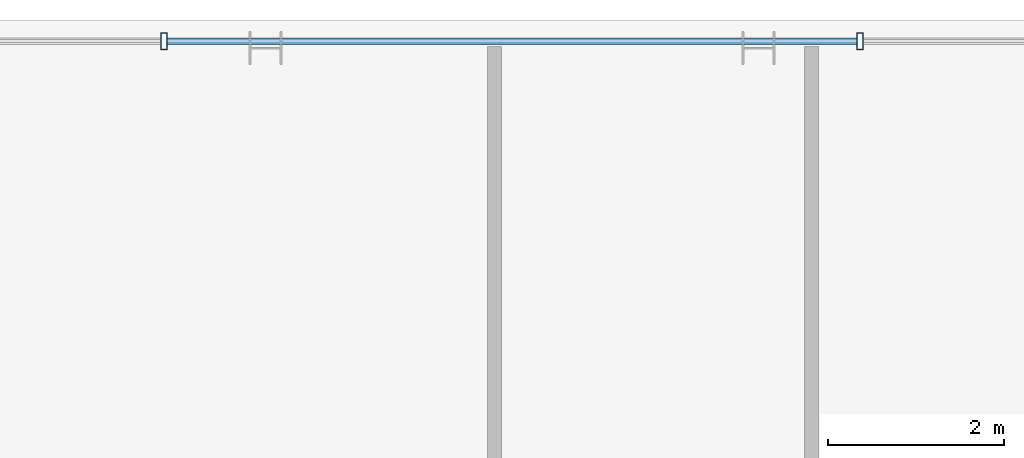
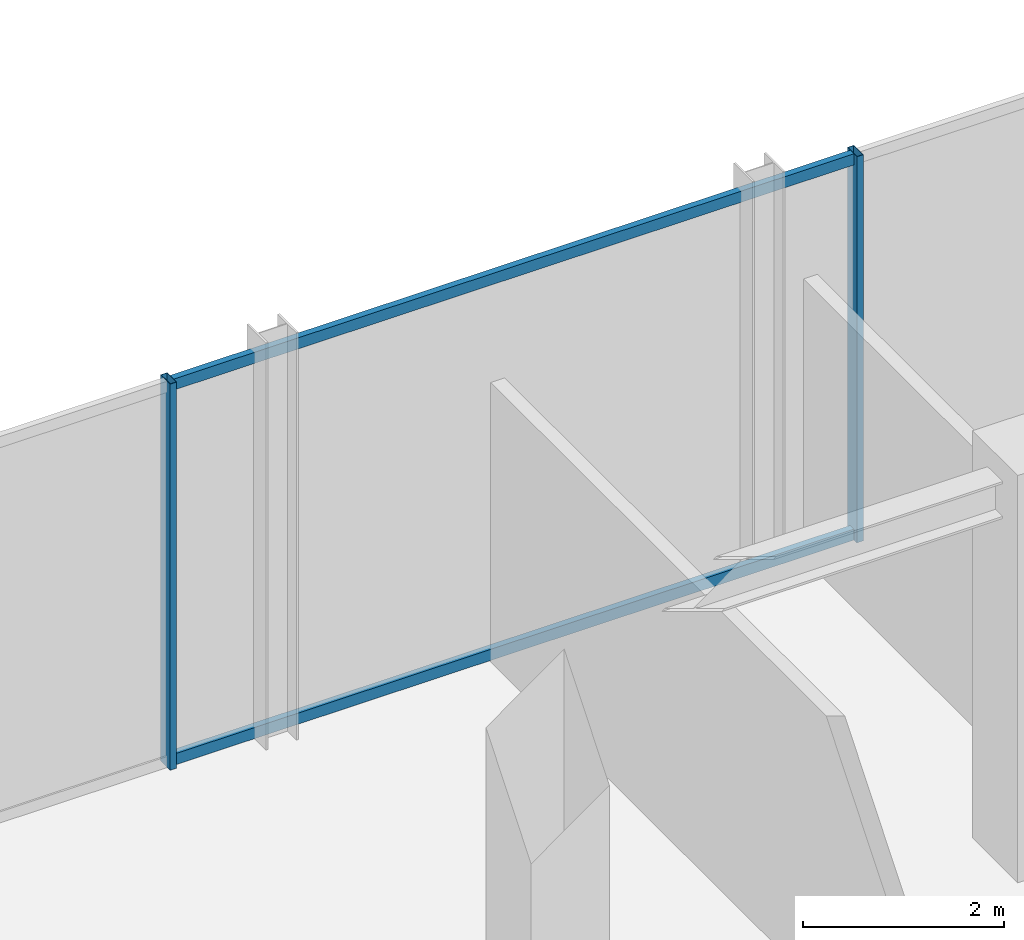
# One storey, part 19 of 28: 4 members, 1 element without a shape of its own.
"""IFC4 building model written with IfcOpenShell, lengths in metres."""

from ifc_helpers import new_model, si_unit, direction, frame, origin, origin_2d, place, context, subcontext, project, spatial, hollow_rectangle, extrude, source, transform, mapped, material, material_profile, profile_set, type_object, element, aggregate, save


model = new_model("IFC4")

# Units and contexts
model_context = context("Model", 3, precision=1e-05, world=origin(), true_north=direction((0.0, 1.0)))
body_context = subcontext(model_context, "Body", "Model", "MODEL_VIEW")
ifc_project = project(units=[si_unit("LENGTHUNIT", "METRE"), si_unit("AREAUNIT", "SQUARE_METRE"), si_unit("VOLUMEUNIT", "CUBIC_METRE"), si_unit("PLANEANGLEUNIT", "RADIAN"), si_unit("MASSUNIT", "GRAM", prefix="KILO")], contexts=[model_context])

# Site, building, storey
site_placement = place(None, origin())
site = spatial("IfcSite", under=ifc_project, at=site_placement, CompositionType="ELEMENT")
building_placement = place(site_placement, origin())
building = spatial("IfcBuilding", under=site, at=building_placement, Name="Nahalor Promenade Grand Hotel", CompositionType="ELEMENT")
storey_placement = place(building_placement, frame((0.0, 0.0, 352.050048828125)))
storey = spatial("IfcBuildingStorey", under=building, at=storey_placement, Name="L90", CompositionType="ELEMENT", Elevation=352.050048828125)

# Curtain wall, members
ifc_material = material(Name="Anodised Bronze Aluminium EN AW-6063 T6", Category="aluminium")
curtain_wall_type = type_object("IfcCurtainWallType", Name="CW6 Crown Botanical Conservatory Curtain Wall", PredefinedType="USERDEFINED", material=ifc_material)
curtain_wall_placement = place(storey_placement, origin())
curtain_wall = element("IfcCurtainWall", 1, at=curtain_wall_placement, inside=storey, type_object=curtain_wall_type, Name="L90 Curtain Wall CW-L90-N-1", ObjectType="UNITISED_CURTAIN_WALL", PredefinedType="USERDEFINED")
ifc_material_profile_1 = material_profile(ifc_material, hollow_rectangle(XDim=0.075, YDim=0.19, WallThickness=0.005, at=origin_2d()), Name="CWM 75x190x5")
ifc_profile_set_1 = profile_set([ifc_material_profile_1], Name="Anodised Bronze Aluminium EN AW-6063 T6")
member_type_1 = type_object("IfcMemberType", Name="CWM6 Conservatory Bronze Mullion 75x190", PredefinedType="MULLION", material=ifc_profile_set_1)
shared_shape_1 = source(origin(), body_context, "Body", "SweptSolid", [
    extrude(hollow_rectangle(XDim=0.075, YDim=0.19, WallThickness=0.005, at=origin_2d()), origin(), (0.0, 0.0, 1.0), 4.699951171875),
])
member_1_placement = place(storey_placement, frame((-3.951904296875, 22.56005859375, 0.0), z_axis=(0.0, 0.0, 1.0), x_axis=(1.0, 0.0, 0.0)))
member_1 = element("IfcMember", 2, at=member_1_placement, type_object=member_type_1, Name="CW-L90-N-1 Mullion 2", PredefinedType="MULLION", context=body_context, shape_type="MappedRepresentation", body=[
    mapped(shared_shape_1, transform((0.0, 0.0, 0.0), scale=1.0)),
])
member_2_placement = place(storey_placement, frame((3.951904296875, 22.56005859375, 0.0), z_axis=(0.0, 0.0, 1.0), x_axis=(1.0, 0.0, 0.0)))
member_2 = element("IfcMember", 3, at=member_2_placement, type_object=member_type_1, Name="CW-L90-N-1 Mullion 3", PredefinedType="MULLION", context=body_context, shape_type="MappedRepresentation", body=[
    mapped(shared_shape_1, transform((0.0, 0.0, 0.0), scale=1.0)),
])
ifc_material_profile_2 = material_profile(ifc_material, hollow_rectangle(XDim=0.075, YDim=0.135, WallThickness=0.004, at=origin_2d()), Name="CWT 75x135x4")
ifc_profile_set_2 = profile_set([ifc_material_profile_2], Name="Anodised Bronze Aluminium EN AW-6063 T6")
member_type_2 = type_object("IfcMemberType", Name="CWT6 Conservatory Transom 75x135", PredefinedType="USERDEFINED", material=ifc_profile_set_2)
shared_shape_2 = source(origin(), body_context, "Body", "SweptSolid", [
    extrude(hollow_rectangle(XDim=0.075, YDim=0.135, WallThickness=0.004, at=origin_2d()), origin(), (0.0, 0.0, 1.0), 7.8291015625),
])
member_3_placement = place(storey_placement, frame((-3.91455078125, 22.56005859375, 0.0673828125), z_axis=(1.0, 0.0, 0.0), x_axis=(0.0, 1.0, 0.0)))
member_3 = element("IfcMember", 4, at=member_3_placement, type_object=member_type_2, Name="CW-L90-N-1 Transom 2-0", ObjectType="TRANSOM", PredefinedType="USERDEFINED", context=body_context, shape_type="MappedRepresentation", body=[
    mapped(shared_shape_2, transform((0.0, 0.0, 0.0), scale=1.0)),
])
member_4_placement = place(storey_placement, frame((-3.91455078125, 22.56005859375, 4.632568359375), z_axis=(1.0, 0.0, 0.0), x_axis=(0.0, 1.0, 0.0)))
member_4 = element("IfcMember", 5, at=member_4_placement, type_object=member_type_2, Name="CW-L90-N-1 Transom 2-1", ObjectType="TRANSOM", PredefinedType="USERDEFINED", context=body_context, shape_type="MappedRepresentation", body=[
    mapped(shared_shape_2, transform((0.0, 0.0, 0.0), scale=1.0)),
])
aggregate(curtain_wall, [member_1, member_2, member_3, member_4])

save(model, "model.ifc")
